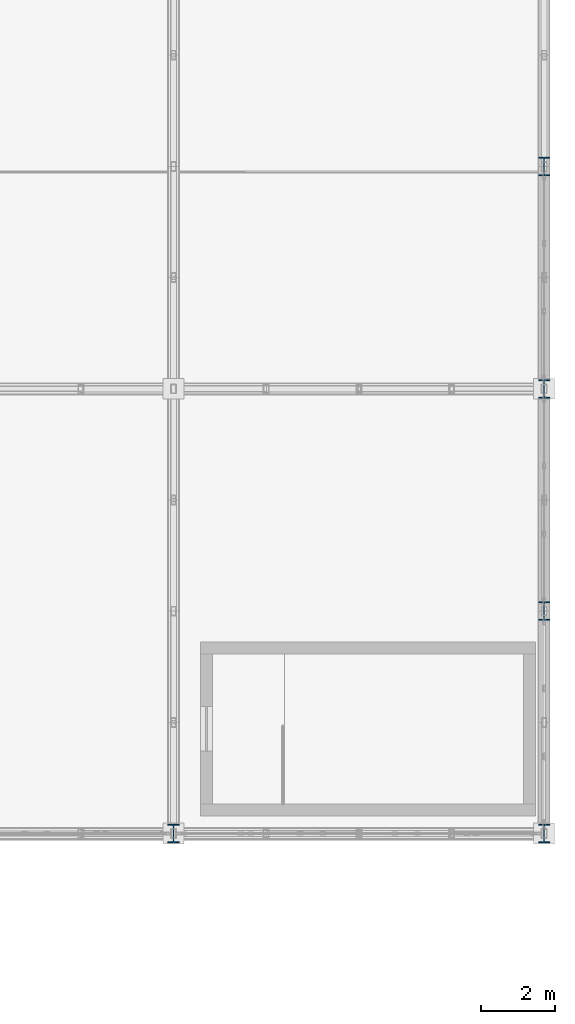
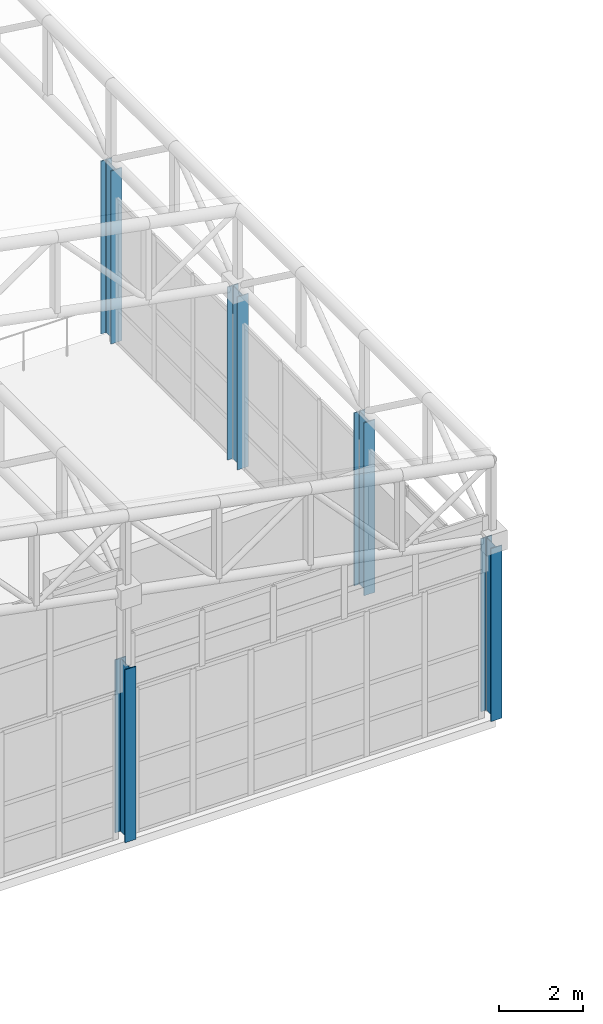
# One storey, part 6 of 112: 5 columns.
"""IFC4 building model written with IfcOpenShell, lengths in metres."""

from ifc_helpers import new_model, si_unit, direction, frame, origin, origin_2d, place, context, subcontext, project, spatial, i_section, extrude, material, material_profile, profile_set, type_object, element, save


model = new_model("IFC4")

# Units and contexts
model_context = context("Model", 3, precision=1e-05, world=origin(), true_north=direction((0.0, 1.0)))
body_context = subcontext(model_context, "Body", "Model", "MODEL_VIEW")
ifc_project = project(units=[si_unit("LENGTHUNIT", "METRE"), si_unit("AREAUNIT", "SQUARE_METRE"), si_unit("VOLUMEUNIT", "CUBIC_METRE"), si_unit("PLANEANGLEUNIT", "RADIAN"), si_unit("MASSUNIT", "GRAM", prefix="KILO")], contexts=[model_context])

# Site, building, storey
site_placement = place(None, origin())
site = spatial("IfcSite", under=ifc_project, at=site_placement, CompositionType="ELEMENT")
building_placement = place(site_placement, origin())
building = spatial("IfcBuilding", under=site, at=building_placement, Name="Kaldris Quays Convention Centre", CompositionType="ELEMENT")
storey_placement = place(building_placement, frame((0.0, 0.0, 16.800048828125)))
storey = spatial("IfcBuildingStorey", under=building, at=storey_placement, Name="L03", CompositionType="ELEMENT", Elevation=16.800048828125)

# Columns
ifc_material = material(Name="Steel S355J2", Category="steel")
ifc_material_profile = material_profile(ifc_material, i_section(OverallWidth=0.300048828125, OverallDepth=0.5, WebThickness=0.014404296875, FlangeThickness=0.028076171875, FilletRadius=0.027099609375, at=origin_2d()), Name="HEB 500")
ifc_profile_set = profile_set([ifc_material_profile], Name="Steel S355J2")
column_type = type_object("IfcColumnType", Name="STRUCTURAL COLUMN CL07", PredefinedType="COLUMN", material=ifc_profile_set)
for number, where, z_axis, x_axis, name in (
    (1, (194.0, 56.0, 0.0), (0.0, 0.0, 1.0), (1.0, 0.0, 0.0), "L03 V2 Column CL07 (194.00, 56.00)"),
    (2, (204.0, 56.0, 0.0), (0.0, 0.0, 1.0), (1.0, 0.0, 0.0), "L03 V2 Column CL07 (204.00, 56.00)"),
    (3, (204.0, 62.0, 0.0), (0.0, 0.0, 1.0), (1.0, 0.0, 0.0), "L03 V2 Column CL07 (204.00, 62.00)"),
    (4, (204.0, 68.0, 0.0), (0.0, 0.0, 1.0), (1.0, 0.0, 0.0), "L03 V2 Column CL07 (204.00, 68.00)"),
    (5, (204.0, 74.0, 0.0), (0.0, 0.0, 1.0), (1.0, 0.0, 0.0), "L03 V2 Column CL07 (204.00, 74.00)"),
):
    element("IfcColumn", number, at=place(storey_placement, frame(where, z_axis=z_axis, x_axis=x_axis)), inside=storey, type_object=column_type, Name=name, PredefinedType="COLUMN", context=body_context, shape_type="SweptSolid", body=[
        extrude(i_section(OverallWidth=0.300048828125, OverallDepth=0.5, WebThickness=0.014404296875, FlangeThickness=0.028076171875, FilletRadius=0.027099609375, at=origin_2d()), origin(), (0.0, 0.0, 1.0), 5.0),
    ])

save(model, "model.ifc")
